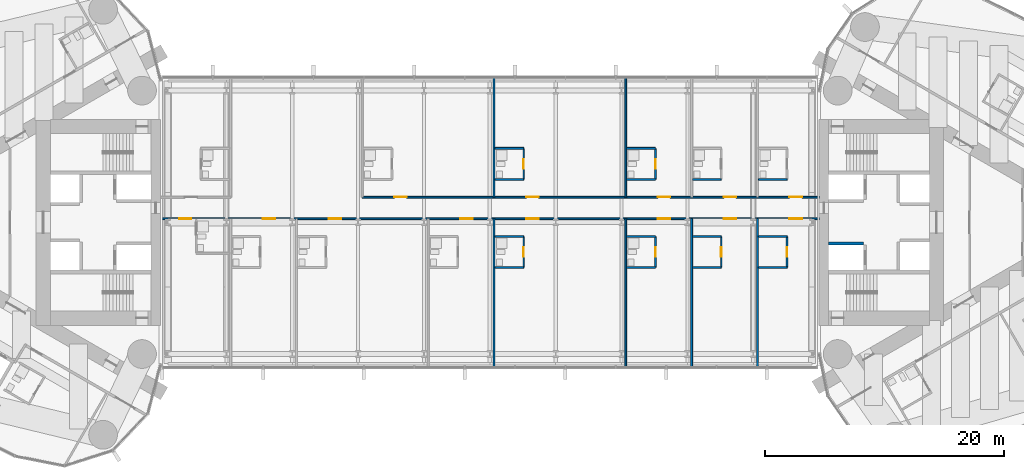
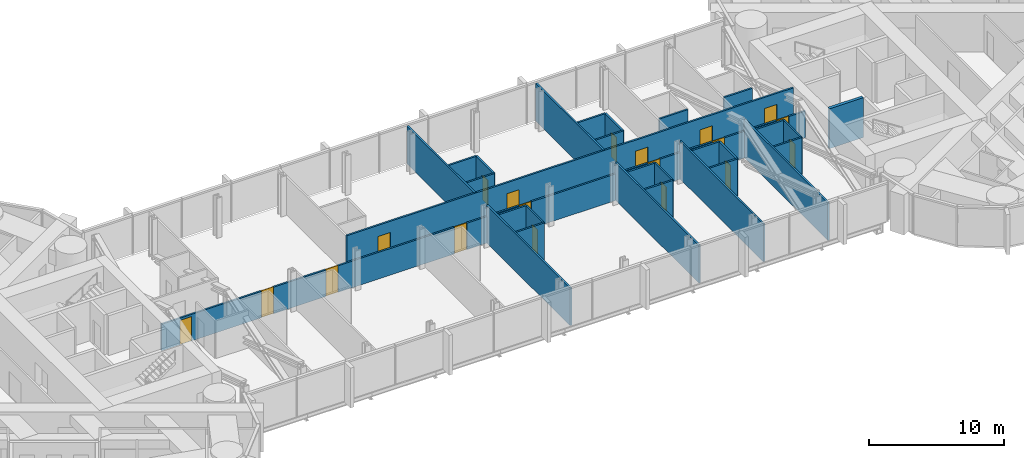
# One storey, part 18 of 24: 29 walls, 19 doors, 19 openings.
"""IFC4 building model written with IfcOpenShell, lengths in metres."""

import ifcopenshell
import ifcopenshell.guid

model = None  # the IFC model being written
_history = None  # IfcOwnerHistory: only IFC2X3 demands one
_inside = {}  # id of a spatial element -> (the spatial element, [elements in it])
_under = {}  # id of a project, library or spatial element -> (it, [spatial elements below it])
_declared = {}  # id of a project -> (the project, [libraries it declares])
_typed = {}  # id of a type object -> (the type object, [elements of that type])
_made_of = {}  # id of a material, layer set ... -> (it, [elements and type objects made of it])


def new_model(schema):
    """Start an empty IFC model of exactly this schema.

    Asked for "IFC4X3", IfcOpenShell would pick the latest addendum, in which some entities
    have other attributes; the version numbers below select the first issue.
    IFC2X3 requires an IfcOwnerHistory on every rooted entity: one is made here for all.
    """
    global model, _history
    if schema == "IFC4X3":
        model = ifcopenshell.file(schema_version=(4, 3, 0, 0))
    else:
        model = ifcopenshell.file(schema=schema)
    _inside.clear()
    _under.clear()
    _declared.clear()
    _typed.clear()
    _made_of.clear()
    _history = None
    if model.schema == "IFC2X3":
        org = make("IfcOrganization", Name="unknown")
        user = make(
            "IfcPersonAndOrganization",
            ThePerson=make("IfcPerson", FamilyName="unknown"),
            TheOrganization=org,
        )
        app = make(
            "IfcApplication",
            ApplicationDeveloper=org,
            Version="unknown",
            ApplicationFullName="unknown",
            ApplicationIdentifier="unknown",
        )
        _history = make(
            "IfcOwnerHistory",
            OwningUser=user,
            OwningApplication=app,
            ChangeAction="ADDED",
            CreationDate=0,
        )
    return model


def make(cls, **values):
    """One entity of the class cls with the attributes given. An attribute that is None is left unset."""
    return model.create_entity(
        cls, **{name: value for name, value in values.items() if value is not None}
    )


def rooted(cls, **values):
    """An entity with a GlobalId (a new one), such as an element, a storey or a relation."""
    return make(cls, GlobalId=ifcopenshell.guid.new(), OwnerHistory=_history, **values)


def si_unit(unit_type, name, prefix=None):
    """IfcSIUnit, for example si_unit("LENGTHUNIT", "METRE", prefix="MILLI")."""
    return make("IfcSIUnit", UnitType=unit_type, Prefix=prefix, Name=name)


def assignment(units):
    """IfcUnitAssignment: the units of a project."""
    return None if units is None else make("IfcUnitAssignment", Units=units)


def point(xyz):
    """IfcCartesianPoint."""
    return None if xyz is None else make("IfcCartesianPoint", Coordinates=xyz)


def direction(xyz):
    """IfcDirection."""
    return None if xyz is None else make("IfcDirection", DirectionRatios=xyz)


def frame(location, z_axis=None, x_axis=None):
    """IfcAxis2Placement3D, a coordinate frame: its origin and axes. An axis left out is left unset."""
    return make(
        "IfcAxis2Placement3D",
        Location=point(location),
        Axis=direction(z_axis),
        RefDirection=direction(x_axis),
    )


def frame_2d(location, x_axis=None):
    """IfcAxis2Placement2D, a coordinate frame in the plane: its origin and x axis."""
    return make(
        "IfcAxis2Placement2D", Location=point(location), RefDirection=direction(x_axis)
    )


def origin():
    """The frame at (0, 0, 0) with its axes left unset."""
    return frame((0.0, 0.0, 0.0))


def place(relative_to, where):
    """IfcLocalPlacement: puts the frame where relative to a parent placement (None: the world)."""
    return make(
        "IfcLocalPlacement", PlacementRelTo=relative_to, RelativePlacement=where
    )


def context(
    kind, dimensions, precision=None, world=None, true_north=None, identifier=None
):
    """IfcGeometricRepresentationContext, for example the 3D "Model" context."""
    return make(
        "IfcGeometricRepresentationContext",
        ContextIdentifier=identifier,
        ContextType=kind,
        CoordinateSpaceDimension=dimensions,
        Precision=precision,
        WorldCoordinateSystem=world,
        TrueNorth=true_north,
    )


def subcontext(parent, identifier, kind, view, scale=None):
    """IfcGeometricRepresentationSubContext, for example "Body" below "Model"."""
    return make(
        "IfcGeometricRepresentationSubContext",
        ContextIdentifier=identifier,
        ContextType=kind,
        ParentContext=parent,
        TargetScale=scale,
        TargetView=view,
    )


def project(units=None, contexts=None):
    """IfcProject with its units and contexts."""
    return rooted(
        "IfcProject",
        Name="project",
        RepresentationContexts=contexts,
        UnitsInContext=assignment(units),
    )


def spatial(cls, under=None, at=None, **own):
    """A site, building, storey or space (cls), placed at a placement, below another one or the project."""
    s = rooted(cls, ObjectPlacement=at, **own)
    if under is not None:
        _under.setdefault(under.id(), (under, []))[1].append(s)
    return s


def profile(cls, at=None, kind="AREA", **sizes):
    """A parametric profile (cls). Its sizes go by their IFC names, for example OverallWidth=200.0."""
    return make(cls, ProfileType=kind, Position=at, **sizes)


def rectangle(**sizes):
    """IfcRectangleProfileDef."""
    return profile("IfcRectangleProfileDef", **sizes)


def extrude(swept, where, along, depth):
    """IfcExtrudedAreaSolid: the profile swept, set in the frame where, extruded along a direction by depth."""
    return make(
        "IfcExtrudedAreaSolid",
        SweptArea=swept,
        Position=where,
        ExtrudedDirection=direction(along),
        Depth=depth,
    )


def shape(context_of_items, identifier, shape_type, items):
    """IfcShapeRepresentation: the items that make up one representation, for example the "Body"."""
    return make(
        "IfcShapeRepresentation",
        ContextOfItems=context_of_items,
        RepresentationIdentifier=identifier,
        RepresentationType=shape_type,
        Items=items,
    )


def material(Name=None, Category=None):
    """IfcMaterial."""
    return make("IfcMaterial", Name=Name, Category=Category)


def layer(
    of_material, thickness, ventilated=None, Name=None, Category=None, Priority=None
):
    """IfcMaterialLayer: one layer of a wall or slab, of a material (None: an air gap)."""
    return make(
        "IfcMaterialLayer",
        Material=of_material,
        LayerThickness=thickness,
        IsVentilated=ventilated,
        Name=Name,
        Category=Category,
        Priority=Priority,
    )


def layer_set(layers, Name=None):
    """IfcMaterialLayerSet."""
    return make("IfcMaterialLayerSet", MaterialLayers=layers, LayerSetName=Name)


def made_of(thing, what):
    """Note that an element or type object is made of a material, layer set ...; save() writes the relation."""
    if what is not None:
        _made_of.setdefault(what.id(), (what, []))[1].append(thing)
    return thing


def type_object(cls, material=None, **own):
    """A type object (cls), such as IfcWallType, which elements share."""
    return made_of(rooted(cls, **own), material)


def element(
    cls,
    number,
    at=None,
    inside=None,
    cuts=None,
    type_object=None,
    material=None,
    context=None,
    identifier="Body",
    shape_type=None,
    held_by="IfcProductDefinitionShape",
    body=None,
    shapes=None,
    **own,
):
    """One element of the class cls, such as IfcWall. Its Tag is "e" and its number.

    at: its placement. inside: the storey or other place that contains it. cuts: it is an
    opening in that element (IfcRelVoidsElement). A single representation is given by context,
    identifier, shape_type and body (its items); several are given by shapes. held_by: the class
    of the entity that holds the representations. save() writes the other relations.
    """
    e = rooted(cls, Tag="e%d" % number, ObjectPlacement=at, **own)
    if body is not None:
        shapes = [shape(context, identifier, shape_type, body)]
    if shapes is not None:
        e.Representation = make(held_by, Representations=shapes)
    if inside is not None:
        _inside.setdefault(inside.id(), (inside, []))[1].append(e)
    if cuts is not None:
        rooted(
            "IfcRelVoidsElement", RelatingBuildingElement=cuts, RelatedOpeningElement=e
        )
    if type_object is not None:
        _typed.setdefault(type_object.id(), (type_object, []))[1].append(e)
    return made_of(e, material)


def fill(opening, filler):
    """IfcRelFillsElement: the door or window that sits in an opening."""
    return rooted(
        "IfcRelFillsElement",
        RelatingOpeningElement=opening,
        RelatedBuildingElement=filler,
    )


def aggregate(whole, parts):
    """IfcRelAggregates: a whole, such as a stair, and the parts it consists of."""
    return rooted("IfcRelAggregates", RelatingObject=whole, RelatedObjects=parts)


def save(model, path):
    """Write the relations noted so far, then the file.

    IfcRelAggregates (storeys below a building ...), IfcRelContainedInSpatialStructure (elements
    in a storey), IfcRelDefinesByType, IfcRelAssociatesMaterial and IfcRelDeclares: one each for
    every whole, place, type object, material and project.
    """
    for whole, parts in _under.values():
        aggregate(whole, parts)
    for where, things in _inside.values():
        rooted(
            "IfcRelContainedInSpatialStructure",
            RelatedElements=things,
            RelatingStructure=where,
        )
    for kind, things in _typed.values():
        rooted("IfcRelDefinesByType", RelatedObjects=things, RelatingType=kind)
    for what, things in _made_of.values():
        rooted("IfcRelAssociatesMaterial", RelatedObjects=things, RelatingMaterial=what)
    for by, libraries in _declared.values():
        rooted("IfcRelDeclares", RelatingContext=by, RelatedDefinitions=libraries)
    model.write(path)


model = new_model("IFC4")

# Units and contexts
model_context = context("Model", 3, precision=1e-05, world=origin(), true_north=direction((0.0, 1.0)))
body_context = subcontext(model_context, "Body", "Model", "MODEL_VIEW")
ifc_project = project(units=[si_unit("LENGTHUNIT", "METRE"), si_unit("AREAUNIT", "SQUARE_METRE"), si_unit("VOLUMEUNIT", "CUBIC_METRE"), si_unit("PLANEANGLEUNIT", "RADIAN"), si_unit("MASSUNIT", "GRAM", prefix="KILO")], contexts=[model_context])

# Site, building, storey
site_placement = place(None, origin())
site = spatial("IfcSite", under=ifc_project, at=site_placement, CompositionType="ELEMENT")
building_placement = place(site_placement, origin())
building = spatial("IfcBuilding", under=site, at=building_placement, Name="Lancet Gate Hotel", CompositionType="ELEMENT")
storey_placement = place(building_placement, frame((0.0, 0.0, 244.10009765625)))
storey = spatial("IfcBuildingStorey", under=building, at=storey_placement, Name="L65", CompositionType="ELEMENT", Elevation=244.10009765625)

# Walls
ifc_material_1 = material(Name="Moisture resistant board partition")
ifc_layer_1 = layer(ifc_material_1, 0.14990234375)
ifc_layer_set_1 = layer_set([ifc_layer_1], Name="Bathroom wall 150")
wall_type_1 = type_object("IfcWallType", Name="Bathroom wall 150", PredefinedType="PARTITIONING", material=ifc_layer_set_1)
for number, where, z_axis, x_axis, name in (
    (1, (0.425048828125, -3.77490234375, 0.0), (0.0, 0.0, 1.0), (1.0, 0.0, 0.0), "Bridge block bathroom wall 150 L65"),
    (2, (0.425048828125, -1.175048828125, 0.0), (0.0, 0.0, 1.0), (1.0, 0.0, 0.0), "Bridge block bathroom wall 150 L65"),
):
    element("IfcWall", number, at=place(storey_placement, frame(where, z_axis=z_axis, x_axis=x_axis)), inside=storey, type_object=wall_type_1, Name=name, PredefinedType="PARTITIONING", context=body_context, shape_type="SweptSolid", body=[
        extrude(rectangle(XDim=2.39990234375, YDim=0.14990234375, at=frame_2d((1.199951171875, 0.0))), origin(), (0.0, 0.0, 1.0), 3.39990234375),
    ])

# Wall, opening, door
wall_1_placement = place(storey_placement, frame((2.824951171875, -3.77490234375, 0.0), z_axis=(0.0, 0.0, 1.0), x_axis=(0.0, 1.0, 0.0)))
wall_1 = element("IfcWall", 3, at=wall_1_placement, inside=storey, type_object=wall_type_1, Name="Bridge block bathroom wall 150 L65", PredefinedType="PARTITIONING", context=body_context, shape_type="SweptSolid", body=[
    extrude(rectangle(XDim=2.599853515625, YDim=0.14990234375, at=frame_2d((1.2998046875, 0.0))), origin(), (0.0, 0.0, 1.0), 3.39990234375),
])
opening_1_placement = place(wall_1_placement, frame((0.89990234375, 0.0, 0.0)))
opening_1 = element("IfcOpeningElement", 4, at=opening_1_placement, cuts=wall_1, Name="Opening B6506-B", PredefinedType="OPENING", context=body_context, shape_type="SweptSolid", body=[
    extrude(rectangle(XDim=0.800048828125, YDim=2.199951171875, at=frame_2d((0.39990234375, 1.10009765625))), frame((0.0, 0.0849609375, 0.0), z_axis=(0.0, -1.0, 0.0), x_axis=(1.0, 0.0, 0.0)), (0.0, 0.0, 1.0), 0.169921875),
])
ifc_material_2 = material(Name="Timber door set", Category="wood")
door_type_1 = type_object("IfcDoorType", Name="Bathroom door 800", OperationType="SINGLE_SWING_RIGHT", PredefinedType="DOOR", material=ifc_material_2)
door_1_placement = place(opening_1_placement, origin())
door_1 = element("IfcDoor", 5, at=door_1_placement, inside=storey, type_object=door_type_1, Name="B6506-B", OperationType="SINGLE_SWING_RIGHT", OverallHeight=2.199951171875, OverallWidth=0.800048828125, PredefinedType="DOOR", context=body_context, shape_type="SweptSolid", body=[
    extrude(rectangle(XDim=0.800048828125, YDim=2.199951171875, at=frame_2d((0.39990234375, 1.10009765625))), frame((0.0, 0.02490234375, 0.0), z_axis=(0.0, -1.0, 0.0), x_axis=(1.0, 0.0, 0.0)), (0.0, 0.0, 1.0), 0.050048828125),
])
fill(opening_1, door_1)

# Walls
for number, where, z_axis, x_axis, name in (
    (6, (11.425048828125, -3.77490234375, 0.0), (0.0, 0.0, 1.0), (1.0, 0.0, 0.0), "Bridge block bathroom wall 150 L65"),
    (7, (11.425048828125, -1.175048828125, 0.0), (0.0, 0.0, 1.0), (1.0, 0.0, 0.0), "Bridge block bathroom wall 150 L65"),
):
    element("IfcWall", number, at=place(storey_placement, frame(where, z_axis=z_axis, x_axis=x_axis)), inside=storey, type_object=wall_type_1, Name=name, PredefinedType="PARTITIONING", context=body_context, shape_type="SweptSolid", body=[
        extrude(rectangle(XDim=2.39990234375, YDim=0.14990234375, at=frame_2d((1.199951171875, 0.0))), origin(), (0.0, 0.0, 1.0), 3.39990234375),
    ])

# Wall, opening, door
wall_2_placement = place(storey_placement, frame((13.824951171875, -3.77490234375, 0.0), z_axis=(0.0, 0.0, 1.0), x_axis=(0.0, 1.0, 0.0)))
wall_2 = element("IfcWall", 8, at=wall_2_placement, inside=storey, type_object=wall_type_1, Name="Bridge block bathroom wall 150 L65", PredefinedType="PARTITIONING", context=body_context, shape_type="SweptSolid", body=[
    extrude(rectangle(XDim=2.599853515625, YDim=0.14990234375, at=frame_2d((1.2998046875, 0.0))), origin(), (0.0, 0.0, 1.0), 3.39990234375),
])
opening_2_placement = place(wall_2_placement, frame((0.89990234375, 0.0, 0.0)))
opening_2 = element("IfcOpeningElement", 9, at=opening_2_placement, cuts=wall_2, Name="Opening B6508-B", PredefinedType="OPENING", context=body_context, shape_type="SweptSolid", body=[
    extrude(rectangle(XDim=0.800048828125, YDim=2.199951171875, at=frame_2d((0.39990234375, 1.10009765625))), frame((0.0, 0.0849609375, 0.0), z_axis=(0.0, -1.0, 0.0), x_axis=(1.0, 0.0, 0.0)), (0.0, 0.0, 1.0), 0.169921875),
])
door_2_placement = place(opening_2_placement, origin())
door_2 = element("IfcDoor", 10, at=door_2_placement, inside=storey, type_object=door_type_1, Name="B6508-B", OperationType="SINGLE_SWING_RIGHT", OverallHeight=2.199951171875, OverallWidth=0.800048828125, PredefinedType="DOOR", context=body_context, shape_type="SweptSolid", body=[
    extrude(rectangle(XDim=0.800048828125, YDim=2.199951171875, at=frame_2d((0.39990234375, 1.10009765625))), frame((0.0, 0.02490234375, 0.0), z_axis=(0.0, -1.0, 0.0), x_axis=(1.0, 0.0, 0.0)), (0.0, 0.0, 1.0), 0.050048828125),
])
fill(opening_2, door_2)

# Walls
for number, where, z_axis, x_axis, name in (
    (11, (16.925048828125, -3.77490234375, 0.0), (0.0, 0.0, 1.0), (1.0, 0.0, 0.0), "Bridge block bathroom wall 150 L65"),
    (12, (16.925048828125, -1.175048828125, 0.0), (0.0, 0.0, 1.0), (1.0, 0.0, 0.0), "Bridge block bathroom wall 150 L65"),
):
    element("IfcWall", number, at=place(storey_placement, frame(where, z_axis=z_axis, x_axis=x_axis)), inside=storey, type_object=wall_type_1, Name=name, PredefinedType="PARTITIONING", context=body_context, shape_type="SweptSolid", body=[
        extrude(rectangle(XDim=2.39990234375, YDim=0.14990234375, at=frame_2d((1.199951171875, 0.0))), origin(), (0.0, 0.0, 1.0), 3.39990234375),
    ])

# Wall, opening, door
wall_3_placement = place(storey_placement, frame((19.324951171875, -3.77490234375, 0.0), z_axis=(0.0, 0.0, 1.0), x_axis=(0.0, 1.0, 0.0)))
wall_3 = element("IfcWall", 13, at=wall_3_placement, inside=storey, type_object=wall_type_1, Name="Bridge block bathroom wall 150 L65", PredefinedType="PARTITIONING", context=body_context, shape_type="SweptSolid", body=[
    extrude(rectangle(XDim=2.599853515625, YDim=0.14990234375, at=frame_2d((1.2998046875, 0.0))), origin(), (0.0, 0.0, 1.0), 3.39990234375),
])
opening_3_placement = place(wall_3_placement, frame((0.89990234375, 0.0, 0.0)))
opening_3 = element("IfcOpeningElement", 14, at=opening_3_placement, cuts=wall_3, Name="Opening B6509-B", PredefinedType="OPENING", context=body_context, shape_type="SweptSolid", body=[
    extrude(rectangle(XDim=0.800048828125, YDim=2.199951171875, at=frame_2d((0.39990234375, 1.10009765625))), frame((0.0, 0.0849609375, 0.0), z_axis=(0.0, -1.0, 0.0), x_axis=(1.0, 0.0, 0.0)), (0.0, 0.0, 1.0), 0.169921875),
])
door_3_placement = place(opening_3_placement, origin())
door_3 = element("IfcDoor", 15, at=door_3_placement, inside=storey, type_object=door_type_1, Name="B6509-B", OperationType="SINGLE_SWING_RIGHT", OverallHeight=2.199951171875, OverallWidth=0.800048828125, PredefinedType="DOOR", context=body_context, shape_type="SweptSolid", body=[
    extrude(rectangle(XDim=0.800048828125, YDim=2.199951171875, at=frame_2d((0.39990234375, 1.10009765625))), frame((0.0, 0.02490234375, 0.0), z_axis=(0.0, -1.0, 0.0), x_axis=(1.0, 0.0, 0.0)), (0.0, 0.0, 1.0), 0.050048828125),
])
fill(opening_3, door_3)

# Walls
for number, where, z_axis, x_axis, name in (
    (16, (22.425048828125, -3.77490234375, 0.0), (0.0, 0.0, 1.0), (1.0, 0.0, 0.0), "Bridge block bathroom wall 150 L65"),
    (17, (22.425048828125, -1.175048828125, 0.0), (0.0, 0.0, 1.0), (1.0, 0.0, 0.0), "Bridge block bathroom wall 150 L65"),
):
    element("IfcWall", number, at=place(storey_placement, frame(where, z_axis=z_axis, x_axis=x_axis)), inside=storey, type_object=wall_type_1, Name=name, PredefinedType="PARTITIONING", context=body_context, shape_type="SweptSolid", body=[
        extrude(rectangle(XDim=2.39990234375, YDim=0.14990234375, at=frame_2d((1.199951171875, 0.0))), origin(), (0.0, 0.0, 1.0), 3.39990234375),
    ])

# Wall, opening, door
wall_4_placement = place(storey_placement, frame((24.824951171875, -3.77490234375, 0.0), z_axis=(0.0, 0.0, 1.0), x_axis=(0.0, 1.0, 0.0)))
wall_4 = element("IfcWall", 18, at=wall_4_placement, inside=storey, type_object=wall_type_1, Name="Bridge block bathroom wall 150 L65", PredefinedType="PARTITIONING", context=body_context, shape_type="SweptSolid", body=[
    extrude(rectangle(XDim=2.599853515625, YDim=0.14990234375, at=frame_2d((1.2998046875, 0.0))), origin(), (0.0, 0.0, 1.0), 3.39990234375),
])
opening_4_placement = place(wall_4_placement, frame((0.89990234375, 0.0, 0.0)))
opening_4 = element("IfcOpeningElement", 19, at=opening_4_placement, cuts=wall_4, Name="Opening B6510-B", PredefinedType="OPENING", context=body_context, shape_type="SweptSolid", body=[
    extrude(rectangle(XDim=0.800048828125, YDim=2.199951171875, at=frame_2d((0.39990234375, 1.10009765625))), frame((0.0, 0.0849609375, 0.0), z_axis=(0.0, -1.0, 0.0), x_axis=(1.0, 0.0, 0.0)), (0.0, 0.0, 1.0), 0.169921875),
])
door_4_placement = place(opening_4_placement, origin())
door_4 = element("IfcDoor", 20, at=door_4_placement, inside=storey, type_object=door_type_1, Name="B6510-B", OperationType="SINGLE_SWING_RIGHT", OverallHeight=2.199951171875, OverallWidth=0.800048828125, PredefinedType="DOOR", context=body_context, shape_type="SweptSolid", body=[
    extrude(rectangle(XDim=0.800048828125, YDim=2.199951171875, at=frame_2d((0.39990234375, 1.10009765625))), frame((0.0, 0.02490234375, 0.0), z_axis=(0.0, -1.0, 0.0), x_axis=(1.0, 0.0, 0.0)), (0.0, 0.0, 1.0), 0.050048828125),
])
fill(opening_4, door_4)

# Walls
for number, where, z_axis, x_axis, name in (
    (21, (0.425048828125, 6.175048828125, 0.0), (0.0, 0.0, 1.0), (1.0, 0.0, 0.0), "Bridge block bathroom wall 150 L65"),
    (22, (0.425048828125, 3.574951171875, 0.0), (0.0, 0.0, 1.0), (1.0, 0.0, 0.0), "Bridge block bathroom wall 150 L65"),
):
    element("IfcWall", number, at=place(storey_placement, frame(where, z_axis=z_axis, x_axis=x_axis)), inside=storey, type_object=wall_type_1, Name=name, PredefinedType="PARTITIONING", context=body_context, shape_type="SweptSolid", body=[
        extrude(rectangle(XDim=2.39990234375, YDim=0.14990234375, at=frame_2d((1.199951171875, 0.0))), origin(), (0.0, 0.0, 1.0), 3.39990234375),
    ])

# Wall, opening, door
wall_5_placement = place(storey_placement, frame((2.824951171875, 3.574951171875, 0.0), z_axis=(0.0, 0.0, 1.0), x_axis=(0.0, 1.0, 0.0)))
wall_5 = element("IfcWall", 23, at=wall_5_placement, inside=storey, type_object=wall_type_1, Name="Bridge block bathroom wall 150 L65", PredefinedType="PARTITIONING", context=body_context, shape_type="SweptSolid", body=[
    extrude(rectangle(XDim=2.60009765625, YDim=0.14990234375, at=frame_2d((1.300048828125, 0.0))), origin(), (0.0, 0.0, 1.0), 3.39990234375),
])
opening_5_placement = place(wall_5_placement, frame((0.89990234375, 0.0, 0.0)))
opening_5 = element("IfcOpeningElement", 24, at=opening_5_placement, cuts=wall_5, Name="Opening B6516-B", PredefinedType="OPENING", context=body_context, shape_type="SweptSolid", body=[
    extrude(rectangle(XDim=0.800048828125, YDim=2.199951171875, at=frame_2d((0.39990234375, 1.10009765625))), frame((0.0, 0.0849609375, 0.0), z_axis=(0.0, -1.0, 0.0), x_axis=(1.0, 0.0, 0.0)), (0.0, 0.0, 1.0), 0.169921875),
])
door_5_placement = place(opening_5_placement, origin())
door_5 = element("IfcDoor", 25, at=door_5_placement, inside=storey, type_object=door_type_1, Name="B6516-B", OperationType="SINGLE_SWING_RIGHT", OverallHeight=2.199951171875, OverallWidth=0.800048828125, PredefinedType="DOOR", context=body_context, shape_type="SweptSolid", body=[
    extrude(rectangle(XDim=0.800048828125, YDim=2.199951171875, at=frame_2d((0.39990234375, 1.10009765625))), frame((0.0, 0.02490234375, 0.0), z_axis=(0.0, -1.0, 0.0), x_axis=(1.0, 0.0, 0.0)), (0.0, 0.0, 1.0), 0.050048828125),
])
fill(opening_5, door_5)

# Walls
for number, where, z_axis, x_axis, name in (
    (26, (11.425048828125, 6.175048828125, 0.0), (0.0, 0.0, 1.0), (1.0, 0.0, 0.0), "Bridge block bathroom wall 150 L65"),
    (27, (11.425048828125, 3.574951171875, 0.0), (0.0, 0.0, 1.0), (1.0, 0.0, 0.0), "Bridge block bathroom wall 150 L65"),
):
    element("IfcWall", number, at=place(storey_placement, frame(where, z_axis=z_axis, x_axis=x_axis)), inside=storey, type_object=wall_type_1, Name=name, PredefinedType="PARTITIONING", context=body_context, shape_type="SweptSolid", body=[
        extrude(rectangle(XDim=2.39990234375, YDim=0.14990234375, at=frame_2d((1.199951171875, 0.0))), origin(), (0.0, 0.0, 1.0), 3.39990234375),
    ])

# Wall, opening, door
wall_6_placement = place(storey_placement, frame((13.824951171875, 3.574951171875, 0.0), z_axis=(0.0, 0.0, 1.0), x_axis=(0.0, 1.0, 0.0)))
wall_6 = element("IfcWall", 28, at=wall_6_placement, inside=storey, type_object=wall_type_1, Name="Bridge block bathroom wall 150 L65", PredefinedType="PARTITIONING", context=body_context, shape_type="SweptSolid", body=[
    extrude(rectangle(XDim=2.60009765625, YDim=0.14990234375, at=frame_2d((1.300048828125, 0.0))), origin(), (0.0, 0.0, 1.0), 3.39990234375),
])
opening_6_placement = place(wall_6_placement, frame((0.89990234375, 0.0, 0.0)))
opening_6 = element("IfcOpeningElement", 29, at=opening_6_placement, cuts=wall_6, Name="Opening B6518-B", PredefinedType="OPENING", context=body_context, shape_type="SweptSolid", body=[
    extrude(rectangle(XDim=0.800048828125, YDim=2.199951171875, at=frame_2d((0.39990234375, 1.10009765625))), frame((0.0, 0.0849609375, 0.0), z_axis=(0.0, -1.0, 0.0), x_axis=(1.0, 0.0, 0.0)), (0.0, 0.0, 1.0), 0.169921875),
])
door_6_placement = place(opening_6_placement, origin())
door_6 = element("IfcDoor", 30, at=door_6_placement, inside=storey, type_object=door_type_1, Name="B6518-B", OperationType="SINGLE_SWING_RIGHT", OverallHeight=2.199951171875, OverallWidth=0.800048828125, PredefinedType="DOOR", context=body_context, shape_type="SweptSolid", body=[
    extrude(rectangle(XDim=0.800048828125, YDim=2.199951171875, at=frame_2d((0.39990234375, 1.10009765625))), frame((0.0, 0.02490234375, 0.0), z_axis=(0.0, -1.0, 0.0), x_axis=(1.0, 0.0, 0.0)), (0.0, 0.0, 1.0), 0.050048828125),
])
fill(opening_6, door_6)

# Walls
for number, where, z_axis, x_axis, name in (
    (31, (16.925048828125, 3.574951171875, 0.0), (0.0, 0.0, 1.0), (1.0, 0.0, 0.0), "Bridge block bathroom wall 150 L65"),
    (32, (22.425048828125, 3.574951171875, 0.0), (0.0, 0.0, 1.0), (1.0, 0.0, 0.0), "Bridge block bathroom wall 150 L65"),
):
    element("IfcWall", number, at=place(storey_placement, frame(where, z_axis=z_axis, x_axis=x_axis)), inside=storey, type_object=wall_type_1, Name=name, PredefinedType="PARTITIONING", context=body_context, shape_type="SweptSolid", body=[
        extrude(rectangle(XDim=2.39990234375, YDim=0.14990234375, at=frame_2d((1.199951171875, 0.0))), origin(), (0.0, 0.0, 1.0), 3.39990234375),
    ])

# Wall, openings, doors
ifc_material_3 = material(Name="Gypsum board partition")
ifc_layer_2 = layer(ifc_material_3, 0.14990234375)
ifc_layer_set_2 = layer_set([ifc_layer_2], Name="Block corridor wall 150")
wall_type_2 = type_object("IfcWallType", Name="Block corridor wall 150", PredefinedType="PARTITIONING", material=ifc_layer_set_2)
wall_7_placement = place(storey_placement, frame((-27.5, 0.300048828125, 0.0), z_axis=(0.0, 0.0, 1.0), x_axis=(1.0, 0.0, 0.0)))
wall_7 = element("IfcWall", 33, at=wall_7_placement, inside=storey, type_object=wall_type_2, Name="Bridge block block corridor wall 150 L65", PredefinedType="PARTITIONING", context=body_context, shape_type="SweptSolid", body=[
    extrude(rectangle(XDim=55.0, YDim=0.14990234375, at=frame_2d((27.5, 0.0))), origin(), (0.0, 0.0, 1.0), 2.39990234375),
])
opening_7_placement = place(wall_7_placement, frame((1.574951171875, 0.0, 0.0)))
opening_7 = element("IfcOpeningElement", 34, at=opening_7_placement, cuts=wall_7, Name="Opening B6501", PredefinedType="OPENING", context=body_context, shape_type="SweptSolid", body=[
    extrude(rectangle(XDim=1.0, YDim=2.199951171875, at=frame_2d((0.5, 1.10009765625))), frame((0.0, 0.0849609375, 0.0), z_axis=(0.0, -1.0, 0.0), x_axis=(1.0, 0.0, 0.0)), (0.0, 0.0, 1.0), 0.169921875),
])
opening_8_placement = place(wall_7_placement, frame((8.52490234375, 0.0, 0.0)))
opening_8 = element("IfcOpeningElement", 35, at=opening_8_placement, cuts=wall_7, Name="Opening B6502", PredefinedType="OPENING", context=body_context, shape_type="SweptSolid", body=[
    extrude(rectangle(XDim=1.050048828125, YDim=2.39990234375, at=frame_2d((0.52490234375, 1.199951171875))), frame((0.0, 0.0849609375, 0.0), z_axis=(0.0, -1.0, 0.0), x_axis=(1.0, 0.0, 0.0)), (0.0, 0.0, 1.0), 0.169921875),
])
opening_9_placement = place(wall_7_placement, frame((14.02490234375, 0.0, 0.0)))
opening_9 = element("IfcOpeningElement", 36, at=opening_9_placement, cuts=wall_7, Name="Opening B6503", PredefinedType="OPENING", context=body_context, shape_type="SweptSolid", body=[
    extrude(rectangle(XDim=1.050048828125, YDim=2.39990234375, at=frame_2d((0.52490234375, 1.199951171875))), frame((0.0, 0.0849609375, 0.0), z_axis=(0.0, -1.0, 0.0), x_axis=(1.0, 0.0, 0.0)), (0.0, 0.0, 1.0), 0.169921875),
])
opening_10_placement = place(wall_7_placement, frame((25.02490234375, 0.0, 0.0)))
opening_10 = element("IfcOpeningElement", 37, at=opening_10_placement, cuts=wall_7, Name="Opening B6505", PredefinedType="OPENING", context=body_context, shape_type="SweptSolid", body=[
    extrude(rectangle(XDim=1.050048828125, YDim=2.39990234375, at=frame_2d((0.52490234375, 1.199951171875))), frame((0.0, 0.0849609375, 0.0), z_axis=(0.0, -1.0, 0.0), x_axis=(1.0, 0.0, 0.0)), (0.0, 0.0, 1.0), 0.169921875),
])
opening_11_placement = place(wall_7_placement, frame((30.52490234375, 0.0, 0.0)))
opening_11 = element("IfcOpeningElement", 38, at=opening_11_placement, cuts=wall_7, Name="Opening B6506", PredefinedType="OPENING", context=body_context, shape_type="SweptSolid", body=[
    extrude(rectangle(XDim=1.050048828125, YDim=2.39990234375, at=frame_2d((0.52490234375, 1.199951171875))), frame((0.0, 0.0849609375, 0.0), z_axis=(0.0, -1.0, 0.0), x_axis=(1.0, 0.0, 0.0)), (0.0, 0.0, 1.0), 0.169921875),
])
opening_12_placement = place(wall_7_placement, frame((41.52490234375, 0.0, 0.0)))
opening_12 = element("IfcOpeningElement", 39, at=opening_12_placement, cuts=wall_7, Name="Opening B6508", PredefinedType="OPENING", context=body_context, shape_type="SweptSolid", body=[
    extrude(rectangle(XDim=1.050048828125, YDim=2.39990234375, at=frame_2d((0.52490234375, 1.199951171875))), frame((0.0, 0.0849609375, 0.0), z_axis=(0.0, -1.0, 0.0), x_axis=(1.0, 0.0, 0.0)), (0.0, 0.0, 1.0), 0.169921875),
])
opening_13_placement = place(wall_7_placement, frame((47.02490234375, 0.0, 0.0)))
opening_13 = element("IfcOpeningElement", 40, at=opening_13_placement, cuts=wall_7, Name="Opening B6509", PredefinedType="OPENING", context=body_context, shape_type="SweptSolid", body=[
    extrude(rectangle(XDim=1.050048828125, YDim=2.39990234375, at=frame_2d((0.52490234375, 1.199951171875))), frame((0.0, 0.0849609375, 0.0), z_axis=(0.0, -1.0, 0.0), x_axis=(1.0, 0.0, 0.0)), (0.0, 0.0, 1.0), 0.169921875),
])
opening_14_placement = place(wall_7_placement, frame((52.52490234375, 0.0, 0.0)))
opening_14 = element("IfcOpeningElement", 41, at=opening_14_placement, cuts=wall_7, Name="Opening B6510", PredefinedType="OPENING", context=body_context, shape_type="SweptSolid", body=[
    extrude(rectangle(XDim=1.050048828125, YDim=2.39990234375, at=frame_2d((0.52490234375, 1.199951171875))), frame((0.0, 0.0849609375, 0.0), z_axis=(0.0, -1.0, 0.0), x_axis=(1.0, 0.0, 0.0)), (0.0, 0.0, 1.0), 0.169921875),
])
ifc_material_4 = material(Name="Timber door set", Category="wood")
door_type_2 = type_object("IfcDoorType", Name="Accessible guest room door 1000", OperationType="SINGLE_SWING_LEFT", PredefinedType="DOOR", material=ifc_material_4)
door_7_placement = place(opening_7_placement, origin())
door_7 = element("IfcDoor", 42, at=door_7_placement, inside=storey, type_object=door_type_2, Name="B6501", OperationType="SINGLE_SWING_LEFT", OverallHeight=2.199951171875, OverallWidth=1.0, PredefinedType="DOOR", context=body_context, shape_type="SweptSolid", body=[
    extrude(rectangle(XDim=1.0, YDim=2.199951171875, at=frame_2d((0.5, 1.10009765625))), frame((0.0, 0.02490234375, 0.0), z_axis=(0.0, -1.0, 0.0), x_axis=(1.0, 0.0, 0.0)), (0.0, 0.0, 1.0), 0.050048828125),
])
fill(opening_7, door_7)
ifc_material_5 = material(Name="Timber door set", Category="wood")
door_type_3 = type_object("IfcDoorType", Name="Suite entry door 1050", OperationType="SINGLE_SWING_LEFT", PredefinedType="DOOR", material=ifc_material_5)
door_8_placement = place(opening_8_placement, origin())
door_8 = element("IfcDoor", 43, at=door_8_placement, inside=storey, type_object=door_type_3, Name="B6502", OperationType="SINGLE_SWING_LEFT", OverallHeight=2.39990234375, OverallWidth=1.050048828125, PredefinedType="DOOR", context=body_context, shape_type="SweptSolid", body=[
    extrude(rectangle(XDim=1.050048828125, YDim=2.39990234375, at=frame_2d((0.52490234375, 1.199951171875))), frame((0.0, 0.02490234375, 0.0), z_axis=(0.0, -1.0, 0.0), x_axis=(1.0, 0.0, 0.0)), (0.0, 0.0, 1.0), 0.050048828125),
])
fill(opening_8, door_8)
door_9_placement = place(opening_9_placement, origin())
door_9 = element("IfcDoor", 44, at=door_9_placement, inside=storey, type_object=door_type_3, Name="B6503", OperationType="SINGLE_SWING_LEFT", OverallHeight=2.39990234375, OverallWidth=1.050048828125, PredefinedType="DOOR", context=body_context, shape_type="SweptSolid", body=[
    extrude(rectangle(XDim=1.050048828125, YDim=2.39990234375, at=frame_2d((0.52490234375, 1.199951171875))), frame((0.0, 0.02490234375, 0.0), z_axis=(0.0, -1.0, 0.0), x_axis=(1.0, 0.0, 0.0)), (0.0, 0.0, 1.0), 0.050048828125),
])
fill(opening_9, door_9)
door_10_placement = place(opening_10_placement, origin())
door_10 = element("IfcDoor", 45, at=door_10_placement, inside=storey, type_object=door_type_3, Name="B6505", OperationType="SINGLE_SWING_LEFT", OverallHeight=2.39990234375, OverallWidth=1.050048828125, PredefinedType="DOOR", context=body_context, shape_type="SweptSolid", body=[
    extrude(rectangle(XDim=1.050048828125, YDim=2.39990234375, at=frame_2d((0.52490234375, 1.199951171875))), frame((0.0, 0.02490234375, 0.0), z_axis=(0.0, -1.0, 0.0), x_axis=(1.0, 0.0, 0.0)), (0.0, 0.0, 1.0), 0.050048828125),
])
fill(opening_10, door_10)
door_11_placement = place(opening_11_placement, origin())
door_11 = element("IfcDoor", 46, at=door_11_placement, inside=storey, type_object=door_type_3, Name="B6506", OperationType="SINGLE_SWING_LEFT", OverallHeight=2.39990234375, OverallWidth=1.050048828125, PredefinedType="DOOR", context=body_context, shape_type="SweptSolid", body=[
    extrude(rectangle(XDim=1.050048828125, YDim=2.39990234375, at=frame_2d((0.52490234375, 1.199951171875))), frame((0.0, 0.02490234375, 0.0), z_axis=(0.0, -1.0, 0.0), x_axis=(1.0, 0.0, 0.0)), (0.0, 0.0, 1.0), 0.050048828125),
])
fill(opening_11, door_11)
door_12_placement = place(opening_12_placement, origin())
door_12 = element("IfcDoor", 47, at=door_12_placement, inside=storey, type_object=door_type_3, Name="B6508", OperationType="SINGLE_SWING_LEFT", OverallHeight=2.39990234375, OverallWidth=1.050048828125, PredefinedType="DOOR", context=body_context, shape_type="SweptSolid", body=[
    extrude(rectangle(XDim=1.050048828125, YDim=2.39990234375, at=frame_2d((0.52490234375, 1.199951171875))), frame((0.0, 0.02490234375, 0.0), z_axis=(0.0, -1.0, 0.0), x_axis=(1.0, 0.0, 0.0)), (0.0, 0.0, 1.0), 0.050048828125),
])
fill(opening_12, door_12)
door_13_placement = place(opening_13_placement, origin())
door_13 = element("IfcDoor", 48, at=door_13_placement, inside=storey, type_object=door_type_3, Name="B6509", OperationType="SINGLE_SWING_LEFT", OverallHeight=2.39990234375, OverallWidth=1.050048828125, PredefinedType="DOOR", context=body_context, shape_type="SweptSolid", body=[
    extrude(rectangle(XDim=1.050048828125, YDim=2.39990234375, at=frame_2d((0.52490234375, 1.199951171875))), frame((0.0, 0.02490234375, 0.0), z_axis=(0.0, -1.0, 0.0), x_axis=(1.0, 0.0, 0.0)), (0.0, 0.0, 1.0), 0.050048828125),
])
fill(opening_13, door_13)
door_14_placement = place(opening_14_placement, origin())
door_14 = element("IfcDoor", 49, at=door_14_placement, inside=storey, type_object=door_type_3, Name="B6510", OperationType="SINGLE_SWING_LEFT", OverallHeight=2.39990234375, OverallWidth=1.050048828125, PredefinedType="DOOR", context=body_context, shape_type="SweptSolid", body=[
    extrude(rectangle(XDim=1.050048828125, YDim=2.39990234375, at=frame_2d((0.52490234375, 1.199951171875))), frame((0.0, 0.02490234375, 0.0), z_axis=(0.0, -1.0, 0.0), x_axis=(1.0, 0.0, 0.0)), (0.0, 0.0, 1.0), 0.050048828125),
])
fill(opening_14, door_14)

wall_8_placement = place(storey_placement, frame((-10.64990234375, 2.10009765625, 0.0), z_axis=(0.0, 0.0, 1.0), x_axis=(1.0, 0.0, 0.0)))
wall_8 = element("IfcWall", 50, at=wall_8_placement, inside=storey, type_object=wall_type_2, Name="Bridge block block corridor wall 150 L65", PredefinedType="PARTITIONING", context=body_context, shape_type="SweptSolid", body=[
    extrude(rectangle(XDim=38.14990234375, YDim=0.14990234375, at=frame_2d((19.074951171875, 0.0))), origin(), (0.0, 0.0, 1.0), 3.39990234375),
])
opening_15_placement = place(wall_8_placement, frame((2.675048828125, 0.0, 0.0)))
opening_15 = element("IfcOpeningElement", 51, at=opening_15_placement, cuts=wall_8, Name="Opening B6514", PredefinedType="OPENING", context=body_context, shape_type="SweptSolid", body=[
    extrude(rectangle(XDim=1.050048828125, YDim=2.39990234375, at=frame_2d((0.52490234375, 1.199951171875))), frame((0.0, 0.0849609375, 0.0), z_axis=(0.0, -1.0, 0.0), x_axis=(1.0, 0.0, 0.0)), (0.0, 0.0, 1.0), 0.169921875),
])
opening_16_placement = place(wall_8_placement, frame((13.675048828125, 0.0, 0.0)))
opening_16 = element("IfcOpeningElement", 52, at=opening_16_placement, cuts=wall_8, Name="Opening B6516", PredefinedType="OPENING", context=body_context, shape_type="SweptSolid", body=[
    extrude(rectangle(XDim=1.050048828125, YDim=2.39990234375, at=frame_2d((0.52490234375, 1.199951171875))), frame((0.0, 0.0849609375, 0.0), z_axis=(0.0, -1.0, 0.0), x_axis=(1.0, 0.0, 0.0)), (0.0, 0.0, 1.0), 0.169921875),
])
opening_17_placement = place(wall_8_placement, frame((24.675048828125, 0.0, 0.0)))
opening_17 = element("IfcOpeningElement", 53, at=opening_17_placement, cuts=wall_8, Name="Opening B6518", PredefinedType="OPENING", context=body_context, shape_type="SweptSolid", body=[
    extrude(rectangle(XDim=1.050048828125, YDim=2.39990234375, at=frame_2d((0.52490234375, 1.199951171875))), frame((0.0, 0.0849609375, 0.0), z_axis=(0.0, -1.0, 0.0), x_axis=(1.0, 0.0, 0.0)), (0.0, 0.0, 1.0), 0.169921875),
])
opening_18_placement = place(wall_8_placement, frame((30.175048828125, 0.0, 0.0)))
opening_18 = element("IfcOpeningElement", 54, at=opening_18_placement, cuts=wall_8, Name="Opening B6519", PredefinedType="OPENING", context=body_context, shape_type="SweptSolid", body=[
    extrude(rectangle(XDim=1.050048828125, YDim=2.39990234375, at=frame_2d((0.52490234375, 1.199951171875))), frame((0.0, 0.0849609375, 0.0), z_axis=(0.0, -1.0, 0.0), x_axis=(1.0, 0.0, 0.0)), (0.0, 0.0, 1.0), 0.169921875),
])
opening_19_placement = place(wall_8_placement, frame((35.675048828125, 0.0, 0.0)))
opening_19 = element("IfcOpeningElement", 55, at=opening_19_placement, cuts=wall_8, Name="Opening B6520", PredefinedType="OPENING", context=body_context, shape_type="SweptSolid", body=[
    extrude(rectangle(XDim=1.050048828125, YDim=2.39990234375, at=frame_2d((0.52490234375, 1.199951171875))), frame((0.0, 0.0849609375, 0.0), z_axis=(0.0, -1.0, 0.0), x_axis=(1.0, 0.0, 0.0)), (0.0, 0.0, 1.0), 0.169921875),
])
door_15_placement = place(opening_15_placement, origin())
door_15 = element("IfcDoor", 56, at=door_15_placement, inside=storey, type_object=door_type_3, Name="B6514", OperationType="SINGLE_SWING_LEFT", OverallHeight=2.39990234375, OverallWidth=1.050048828125, PredefinedType="DOOR", context=body_context, shape_type="SweptSolid", body=[
    extrude(rectangle(XDim=1.050048828125, YDim=2.39990234375, at=frame_2d((0.52490234375, 1.199951171875))), frame((0.0, 0.02490234375, 0.0), z_axis=(0.0, -1.0, 0.0), x_axis=(1.0, 0.0, 0.0)), (0.0, 0.0, 1.0), 0.050048828125),
])
fill(opening_15, door_15)
door_16_placement = place(opening_16_placement, origin())
door_16 = element("IfcDoor", 57, at=door_16_placement, inside=storey, type_object=door_type_3, Name="B6516", OperationType="SINGLE_SWING_LEFT", OverallHeight=2.39990234375, OverallWidth=1.050048828125, PredefinedType="DOOR", context=body_context, shape_type="SweptSolid", body=[
    extrude(rectangle(XDim=1.050048828125, YDim=2.39990234375, at=frame_2d((0.52490234375, 1.199951171875))), frame((0.0, 0.02490234375, 0.0), z_axis=(0.0, -1.0, 0.0), x_axis=(1.0, 0.0, 0.0)), (0.0, 0.0, 1.0), 0.050048828125),
])
fill(opening_16, door_16)
door_17_placement = place(opening_17_placement, origin())
door_17 = element("IfcDoor", 58, at=door_17_placement, inside=storey, type_object=door_type_3, Name="B6518", OperationType="SINGLE_SWING_LEFT", OverallHeight=2.39990234375, OverallWidth=1.050048828125, PredefinedType="DOOR", context=body_context, shape_type="SweptSolid", body=[
    extrude(rectangle(XDim=1.050048828125, YDim=2.39990234375, at=frame_2d((0.52490234375, 1.199951171875))), frame((0.0, 0.02490234375, 0.0), z_axis=(0.0, -1.0, 0.0), x_axis=(1.0, 0.0, 0.0)), (0.0, 0.0, 1.0), 0.050048828125),
])
fill(opening_17, door_17)
door_18_placement = place(opening_18_placement, origin())
door_18 = element("IfcDoor", 59, at=door_18_placement, inside=storey, type_object=door_type_3, Name="B6519", OperationType="SINGLE_SWING_LEFT", OverallHeight=2.39990234375, OverallWidth=1.050048828125, PredefinedType="DOOR", context=body_context, shape_type="SweptSolid", body=[
    extrude(rectangle(XDim=1.050048828125, YDim=2.39990234375, at=frame_2d((0.52490234375, 1.199951171875))), frame((0.0, 0.02490234375, 0.0), z_axis=(0.0, -1.0, 0.0), x_axis=(1.0, 0.0, 0.0)), (0.0, 0.0, 1.0), 0.050048828125),
])
fill(opening_18, door_18)
door_19_placement = place(opening_19_placement, origin())
door_19 = element("IfcDoor", 60, at=door_19_placement, inside=storey, type_object=door_type_3, Name="B6520", OperationType="SINGLE_SWING_LEFT", OverallHeight=2.39990234375, OverallWidth=1.050048828125, PredefinedType="DOOR", context=body_context, shape_type="SweptSolid", body=[
    extrude(rectangle(XDim=1.050048828125, YDim=2.39990234375, at=frame_2d((0.52490234375, 1.199951171875))), frame((0.0, 0.02490234375, 0.0), z_axis=(0.0, -1.0, 0.0), x_axis=(1.0, 0.0, 0.0)), (0.0, 0.0, 1.0), 0.050048828125),
])
fill(opening_19, door_19)

# Walls
ifc_material_6 = material(Name="Concrete C50/60", Category="concrete")
ifc_layer_3 = layer(ifc_material_6, 0.25)
ifc_layer_set_3 = layer_set([ifc_layer_3], Name="Lift shaft wall 250")
wall_type_3 = type_object("IfcWallType", Name="Lift shaft wall 250", PredefinedType="SHEAR", material=ifc_layer_set_3)
wall_9_placement = place(storey_placement, frame((28.300048828125, -1.77490234375, 0.0), z_axis=(0.0, 0.0, 1.0), x_axis=(1.0, 0.0, 0.0)))
element("IfcWall", 61, at=wall_9_placement, inside=storey, type_object=wall_type_3, Name="T2 core wall pass1-S L65", PredefinedType="SHEAR", context=body_context, shape_type="SweptSolid", body=[
    extrude(rectangle(XDim=2.89990234375, YDim=0.25, at=frame_2d((1.449951171875, 0.0))), origin(), (0.0, 0.0, 1.0), 3.599853515625),
])
ifc_material_7 = material(Name="Gypsum board partition")
ifc_layer_4 = layer(ifc_material_7, 0.14990234375)
ifc_layer_set_4 = layer_set([ifc_layer_4], Name="Party wall 150")
wall_type_4 = type_object("IfcWallType", Name="Party wall 150", PredefinedType="PARTITIONING", material=ifc_layer_set_4)
for number, where, z_axis, x_axis, name in (
    (62, (0.35009765625, -12.070068359375, 0.0), (0.0, 0.0, 1.0), (0.0, 1.0, 0.0), "Bridge block party wall 150 L65"),
    (63, (11.35009765625, -12.070068359375, 0.0), (0.0, 0.0, 1.0), (0.0, 1.0, 0.0), "Bridge block party wall 150 L65"),
    (64, (16.85009765625, -12.070068359375, 0.0), (0.0, 0.0, 1.0), (0.0, 1.0, 0.0), "Bridge block party wall 150 L65"),
    (65, (22.35009765625, -12.070068359375, 0.0), (0.0, 0.0, 1.0), (0.0, 1.0, 0.0), "Bridge block party wall 150 L65"),
):
    element("IfcWall", number, at=place(storey_placement, frame(where, z_axis=z_axis, x_axis=x_axis)), inside=storey, type_object=wall_type_4, Name=name, PredefinedType="PARTITIONING", context=body_context, shape_type="SweptSolid", body=[
        extrude(rectangle(XDim=12.3701171875, YDim=0.14990234375, at=frame_2d((6.18505859375, 0.0))), origin(), (0.0, 0.0, 1.0), 3.39990234375),
    ])
for number, where, z_axis, x_axis, name in (
    (66, (0.35009765625, 2.10009765625, 0.0), (0.0, 0.0, 1.0), (0.0, 1.0, 0.0), "Bridge block party wall 150 L65"),
    (67, (11.35009765625, 2.10009765625, 0.0), (0.0, 0.0, 1.0), (0.0, 1.0, 0.0), "Bridge block party wall 150 L65"),
):
    element("IfcWall", number, at=place(storey_placement, frame(where, z_axis=z_axis, x_axis=x_axis)), inside=storey, type_object=wall_type_4, Name=name, PredefinedType="PARTITIONING", context=body_context, shape_type="SweptSolid", body=[
        extrude(rectangle(XDim=9.969970703125, YDim=0.14990234375, at=frame_2d((4.98486328125, 0.0))), origin(), (0.0, 0.0, 1.0), 3.39990234375),
    ])

save(model, "model.ifc")
